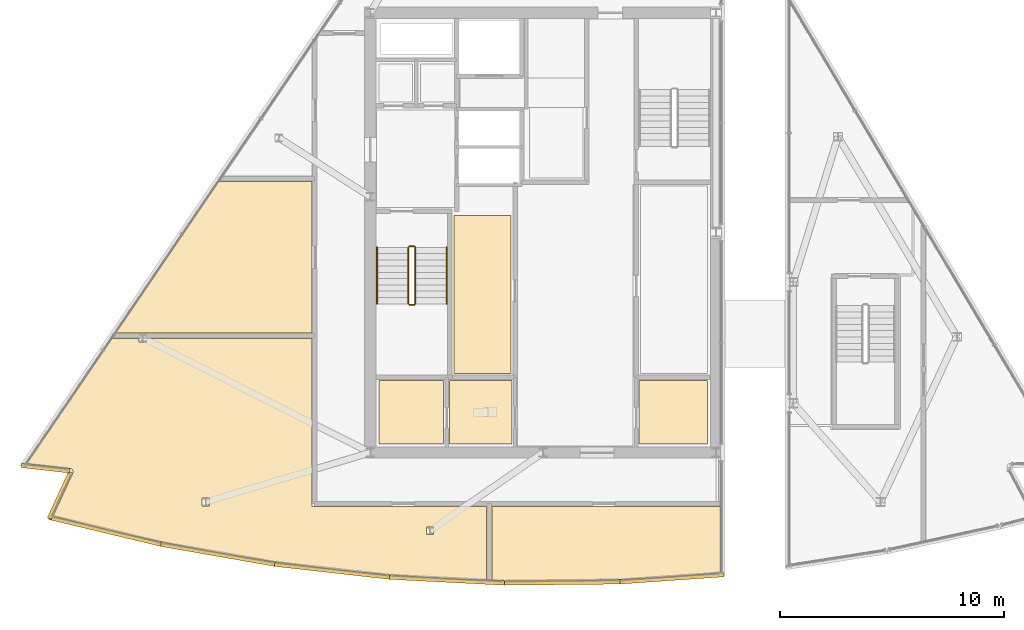
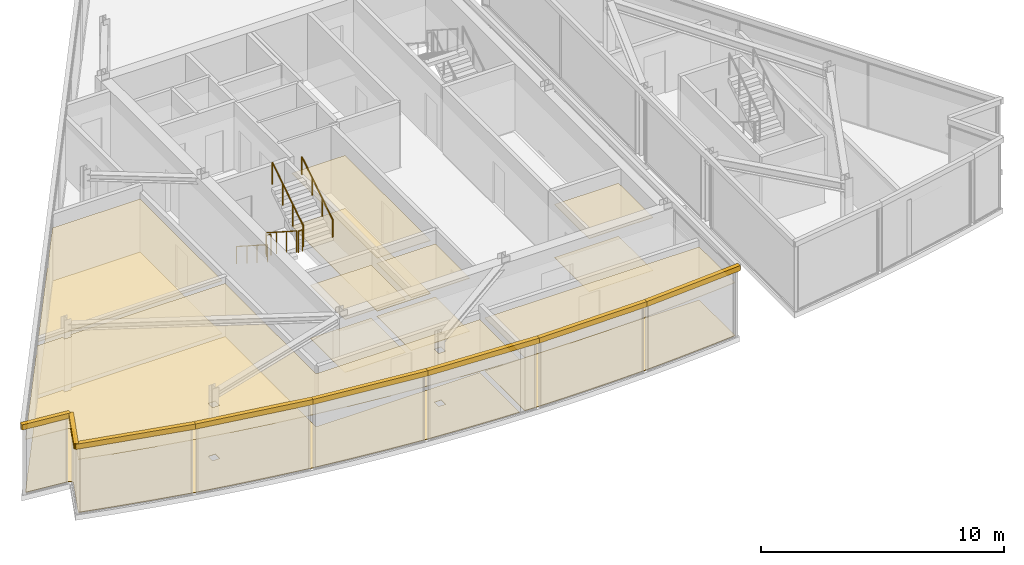
# One storey, part 11 of 15: 22 coverings, 6 railings.
"""IFC4 building model written with IfcOpenShell, lengths in metres."""

from ifc_helpers import new_model, si_unit, direction, frame, origin, origin_2d, place, context, subcontext, project, spatial, polyline, circle, outline, extrude, material, layer, layer_set, type_object, element, save


model = new_model("IFC4")

# Units and contexts
model_context = context("Model", 3, precision=1e-05, world=origin(), true_north=direction((0.0, 1.0)))
body_context = subcontext(model_context, "Body", "Model", "MODEL_VIEW")
ifc_project = project(units=[si_unit("LENGTHUNIT", "METRE"), si_unit("AREAUNIT", "SQUARE_METRE"), si_unit("VOLUMEUNIT", "CUBIC_METRE"), si_unit("PLANEANGLEUNIT", "RADIAN"), si_unit("MASSUNIT", "GRAM", prefix="KILO")], contexts=[model_context])

# Site, building, storey
site_placement = place(None, origin())
site = spatial("IfcSite", under=ifc_project, at=site_placement, CompositionType="ELEMENT")
building_placement = place(site_placement, origin())
building = spatial("IfcBuilding", under=site, at=building_placement, Name="Savorim Split Tower", CompositionType="ELEMENT")
storey_placement = place(building_placement, frame((0.0, 0.0, 301.199951171875)))
storey = spatial("IfcBuildingStorey", under=building, at=storey_placement, Name="Crown L80 Plant", CompositionType="ELEMENT", Elevation=301.199951171875)

# Coverings
ifc_material_1 = material(Name="Mineral Fibre Acoustic Ceiling")
ifc_layer_1 = layer(ifc_material_1, 0.02490234375)
ifc_layer_set_1 = layer_set([ifc_layer_1], Name="COV-CEIL-25")
covering_type_1 = type_object("IfcCoveringType", Name="COV-CEIL-25", PredefinedType="CEILING", material=ifc_layer_set_1)
covering_1_placement = place(storey_placement, frame((0.0, 0.0, 2.66015625)))
element("IfcCovering", 1, at=covering_1_placement, inside=storey, type_object=covering_type_1, Name="Crown L80 Plant Core Mechanical Store West Acoustic Ceiling", PredefinedType="CEILING", context=body_context, shape_type="SweptSolid", body=[
    extrude(outline(polyline([(-3.969970703125, 1.169921875), (-3.969970703125, -5.8701171875), (-1.429931640625, -5.8701171875), (-1.429931640625, 1.169921875), (-3.969970703125, 1.169921875)])), origin(), (0.0, 0.0, 1.0), 0.02490234375),
])
covering_2_placement = place(storey_placement, frame((0.0, 0.0, 2.66015625)))
element("IfcCovering", 2, at=covering_2_placement, inside=storey, type_object=covering_type_1, Name="Crown L80 Plant Housekeeping Store Acoustic Ceiling", PredefinedType="CEILING", context=body_context, shape_type="SweptSolid", body=[
    extrude(outline(polyline([(-7.320068359375, -6.179931640625), (-7.320068359375, -9.02001953125), (-4.429931640625, -9.02001953125), (-4.429931640625, -6.179931640625), (-7.320068359375, -6.179931640625)])), origin(), (0.0, 0.0, 1.0), 0.02490234375),
])
covering_3_placement = place(storey_placement, frame((0.0, 0.0, 2.66015625)))
element("IfcCovering", 3, at=covering_3_placement, inside=storey, type_object=covering_type_1, Name="Crown L80 Plant Accessible WC Acoustic Ceiling", PredefinedType="CEILING", context=body_context, shape_type="SweptSolid", body=[
    extrude(outline(polyline([(-4.169921875, -6.179931640625), (-4.169921875, -9.02001953125), (-1.3798828125, -9.02001953125), (-1.3798828125, -6.179931640625), (-4.169921875, -6.179931640625)])), origin(), (0.0, 0.0, 1.0), 0.02490234375),
])
covering_4_placement = place(storey_placement, frame((0.0, 0.0, 2.66015625)))
element("IfcCovering", 4, at=covering_4_placement, inside=storey, type_object=covering_type_1, Name="Crown L80 Plant Core IT Server Room Acoustic Ceiling", PredefinedType="CEILING", context=body_context, shape_type="SweptSolid", body=[
    extrude(outline(polyline([(4.280029296875, -6.179931640625), (4.280029296875, -9.02001953125), (7.320068359375, -9.02001953125), (7.320068359375, -6.179931640625), (4.280029296875, -6.179931640625)])), origin(), (0.0, 0.0, 1.0), 0.02490234375),
])
covering_5_placement = place(storey_placement, frame((0.0, 0.0, 2.66015625)))
element("IfcCovering", 5, at=covering_5_placement, inside=storey, type_object=covering_type_1, Name="Crown L80 Plant AHU Mechanical Plant Room Acoustic Ceiling", PredefinedType="CEILING", context=body_context, shape_type="SweptSolid", body=[
    extrude(outline(polyline([(-10.300048828125, 2.679931640625), (-14.42431640625, 2.679931640625), (-14.45751953125, 2.679931640625), (-19.05615234375, -4.080078125), (-10.300048828125, -4.080078125), (-10.300048828125, 2.679931640625)])), origin(), (0.0, 0.0, 1.0), 0.02490234375),
])
covering_6_placement = place(storey_placement, frame((0.0, 0.0, 2.66015625)))
element("IfcCovering", 6, at=covering_6_placement, inside=storey, type_object=covering_type_1, Name="Crown L80 Plant Chiller Plant Room Acoustic Ceiling", PredefinedType="CEILING", context=body_context, shape_type="SweptSolid", body=[
    extrude(outline(polyline([(-6.842529296875, -14.85009765625), (-5.134521484375, -14.972900390625), (-3.42431640625, -15.060302734375), (-2.52001953125, -15.087890625), (-2.52001953125, -11.800048828125), (-10.06005859375, -11.800048828125), (-10.179931640625, -11.800048828125), (-10.300048828125, -11.800048828125), (-10.300048828125, -11.56005859375), (-10.300048828125, -4.320068359375), (-17.67529296875, -4.320068359375), (-17.67529296875, -4.463623046875), (-18.00537109375, -4.463623046875), (-18.00537109375, -4.320068359375), (-19.18603515625, -4.320068359375), (-19.219482421875, -4.320068359375), (-23.014404296875, -9.8984375), (-21.072998046875, -10.115234375), (-21.059326171875, -10.117431640625), (-21.0458984375, -10.12109375), (-21.03271484375, -10.1259765625), (-21.0205078125, -10.132080078125), (-21.008544921875, -10.139404296875), (-20.99755859375, -10.14794921875), (-20.9873046875, -10.157470703125), (-20.978271484375, -10.168212890625), (-20.97021484375, -10.179443359375), (-20.96337890625, -10.191650390625), (-20.957763671875, -10.204345703125), (-20.95361328125, -10.217529296875), (-20.950439453125, -10.231201171875), (-20.948974609375, -10.2451171875), (-20.94873046875, -10.2587890625), (-20.94970703125, -10.272705078125), (-20.952392578125, -10.286376953125), (-20.956298828125, -10.2998046875), (-20.96142578125, -10.312744140625), (-21.841552734375, -12.228515625), (-20.3447265625, -12.619873046875), (-18.679443359375, -13.01904296875), (-17.00634765625, -13.38427734375), (-15.326171875, -13.715087890625), (-13.639404296875, -14.011474609375), (-11.947021484375, -14.273193359375), (-10.24951171875, -14.500244140625), (-8.5478515625, -14.692626953125), (-6.842529296875, -14.85009765625)]), holes=[polyline([(-14.872314453125, -11.776611328125), (-14.872314453125, -11.426513671875), (-15.2021484375, -11.426513671875), (-15.2021484375, -11.776611328125), (-14.872314453125, -11.776611328125)]), polyline([(-4.874755859375, -13.06005859375), (-4.874755859375, -12.710205078125), (-5.20458984375, -12.710205078125), (-5.20458984375, -13.06005859375), (-4.874755859375, -13.06005859375)])]), origin(), (0.0, 0.0, 1.0), 0.02490234375),
])
covering_7_placement = place(storey_placement, frame((0.0, 0.0, 2.66015625)))
element("IfcCovering", 7, at=covering_7_placement, inside=storey, type_object=covering_type_1, Name="Crown L80 Plant Booster Pump Plant Room Acoustic Ceiling", PredefinedType="CEILING", context=body_context, shape_type="SweptSolid", body=[
    extrude(outline(polyline([(3.42431640625, -15.060302734375), (5.134521484375, -14.972900390625), (6.842529296875, -14.85009765625), (7.909912109375, -14.751708984375), (7.909912109375, -11.800048828125), (-2.280029296875, -11.800048828125), (-2.280029296875, -15.095458984375), (-1.71240234375, -15.11279296875), (0.0, -15.13037109375), (1.71240234375, -15.11279296875), (3.42431640625, -15.060302734375)])), origin(), (0.0, 0.0, 1.0), 0.02490234375),
])
ifc_material_2 = material(Name="Terracotta Ceramic-Coated Aluminium Fin", Category="masonry")
ifc_layer_2 = layer(ifc_material_2, 0.050048828125)
ifc_layer_set_2 = layer_set([ifc_layer_2], Name="COV-CLAD-TERRA")
covering_type_2 = type_object("IfcCoveringType", Name="COV-CLAD-TERRA", PredefinedType="CLADDING", material=ifc_layer_set_2)
covering_8_placement = place(storey_placement, frame((0.0, 0.0, 3.340087890625)))
element("IfcCovering", 8, at=covering_8_placement, inside=storey, type_object=covering_type_2, Name="Crown L80 Plant Sloped Crest Eave Spandrel W6", PredefinedType="CLADDING", context=body_context, shape_type="SweptSolid", body=[
    extrude(outline(polyline([(-23.267333984375, -10.0712890625), (-21.09521484375, -10.31396484375), (-21.072998046875, -10.115234375), (-23.2451171875, -9.872802734375), (-23.267333984375, -10.0712890625)])), origin(), (0.0, 0.0, 1.0), 0.260009765625),
])
covering_9_placement = place(storey_placement, frame((0.0, 0.0, 3.340087890625)))
element("IfcCovering", 9, at=covering_9_placement, inside=storey, type_object=covering_type_2, Name="Crown L80 Plant Sloped Crest Eave Spandrel W7", PredefinedType="CLADDING", context=body_context, shape_type="SweptSolid", body=[
    extrude(outline(polyline([(-21.14306640625, -10.229248046875), (-22.093017578125, -12.296630859375), (-21.9111328125, -12.3798828125), (-20.96142578125, -10.312744140625), (-21.14306640625, -10.229248046875)])), origin(), (0.0, 0.0, 1.0), 0.260009765625),
])
covering_10_placement = place(storey_placement, frame((0.0, 0.0, 3.340087890625)))
element("IfcCovering", 10, at=covering_10_placement, inside=storey, type_object=covering_type_2, Name="Crown L80 Plant Sloped Crest Eave Spandrel W8", PredefinedType="CLADDING", context=body_context, shape_type="SweptSolid", body=[
    extrude(outline(polyline([(-22.052490234375, -12.3798828125), (-17.048828125, -13.57958984375), (-17.002197265625, -13.38525390625), (-22.005859375, -12.185546875), (-22.052490234375, -12.3798828125)])), origin(), (0.0, 0.0, 1.0), 0.260009765625),
])
covering_11_placement = place(storey_placement, frame((0.0, 0.0, 3.340087890625)))
element("IfcCovering", 11, at=covering_11_placement, inside=storey, type_object=covering_type_2, Name="Crown L80 Plant Sloped Crest Eave Spandrel W9", PredefinedType="CLADDING", context=body_context, shape_type="SweptSolid", body=[
    extrude(outline(polyline([(-17.045166015625, -13.580322265625), (-11.977294921875, -14.470947265625), (-11.942626953125, -14.27392578125), (-17.010498046875, -13.38330078125), (-17.045166015625, -13.580322265625)])), origin(), (0.0, 0.0, 1.0), 0.260009765625),
])
covering_12_placement = place(storey_placement, frame((0.0, 0.0, 3.340087890625)))
element("IfcCovering", 12, at=covering_12_placement, inside=storey, type_object=covering_type_2, Name="Crown L80 Plant Sloped Crest Eave Spandrel W10", PredefinedType="CLADDING", context=body_context, shape_type="SweptSolid", body=[
    extrude(outline(polyline([(-11.9736328125, -14.471435546875), (-6.860595703125, -15.04931640625), (-6.83837890625, -14.8505859375), (-11.951171875, -14.272705078125), (-11.9736328125, -14.471435546875)])), origin(), (0.0, 0.0, 1.0), 0.260009765625),
])
covering_13_placement = place(storey_placement, frame((0.0, 0.0, 3.340087890625)))
element("IfcCovering", 13, at=covering_13_placement, inside=storey, type_object=covering_type_2, Name="Crown L80 Plant Sloped Crest Eave Spandrel W11", PredefinedType="CLADDING", context=body_context, shape_type="SweptSolid", body=[
    extrude(outline(polyline([(-6.857177734375, -15.049560546875), (-1.718505859375, -15.312744140625), (-1.7080078125, -15.113037109375), (-6.8466796875, -14.849853515625), (-6.857177734375, -15.049560546875)])), origin(), (0.0, 0.0, 1.0), 0.260009765625),
])
covering_14_placement = place(storey_placement, frame((0.0, 0.0, 3.340087890625)))
element("IfcCovering", 14, at=covering_14_placement, inside=storey, type_object=covering_type_2, Name="Crown L80 Plant Sloped Crest Eave Spandrel W12", PredefinedType="CLADDING", context=body_context, shape_type="SweptSolid", body=[
    extrude(outline(polyline([(-1.714599609375, -15.312744140625), (3.430419921875, -15.26025390625), (3.428466796875, -15.060302734375), (-1.716796875, -15.11279296875), (-1.714599609375, -15.312744140625)])), origin(), (0.0, 0.0, 1.0), 0.260009765625),
])
covering_15_placement = place(storey_placement, frame((0.0, 0.0, 3.340087890625)))
element("IfcCovering", 15, at=covering_15_placement, inside=storey, type_object=covering_type_2, Name="Crown L80 Plant Sloped Crest Eave Spandrel W13", PredefinedType="CLADDING", context=body_context, shape_type="SweptSolid", body=[
    extrude(outline(polyline([(3.43408203125, -15.260009765625), (8.05419921875, -14.939208984375), (8.040283203125, -14.739501953125), (3.420166015625, -15.060546875), (3.43408203125, -15.260009765625)])), origin(), (0.0, 0.0, 1.0), 0.260009765625),
])
ifc_material_3 = material(Name="Porcelain Stoneware Flooring", Category="masonry")
ifc_layer_3 = layer(ifc_material_3, 0.02001953125)
ifc_layer_set_3 = layer_set([ifc_layer_3], Name="COV-FLOR-20")
covering_type_3 = type_object("IfcCoveringType", Name="COV-FLOR-20", PredefinedType="FLOORING", material=ifc_layer_set_3)
covering_16_placement = place(storey_placement, origin())
element("IfcCovering", 16, at=covering_16_placement, inside=storey, type_object=covering_type_3, Name="Crown L80 Plant Core Mechanical Store West Porcelain Flooring", PredefinedType="FLOORING", context=body_context, shape_type="SweptSolid", body=[
    extrude(outline(polyline([(-3.969970703125, 1.169921875), (-3.969970703125, -5.8701171875), (-1.429931640625, -5.8701171875), (-1.429931640625, 1.169921875), (-3.969970703125, 1.169921875)])), origin(), (0.0, 0.0, 1.0), 0.02001953125),
])
covering_17_placement = place(storey_placement, origin())
element("IfcCovering", 17, at=covering_17_placement, inside=storey, type_object=covering_type_3, Name="Crown L80 Plant Housekeeping Store Porcelain Flooring", PredefinedType="FLOORING", context=body_context, shape_type="SweptSolid", body=[
    extrude(outline(polyline([(-7.320068359375, -6.179931640625), (-7.320068359375, -9.02001953125), (-4.429931640625, -9.02001953125), (-4.429931640625, -6.179931640625), (-7.320068359375, -6.179931640625)])), origin(), (0.0, 0.0, 1.0), 0.02001953125),
])
covering_18_placement = place(storey_placement, origin())
element("IfcCovering", 18, at=covering_18_placement, inside=storey, type_object=covering_type_3, Name="Crown L80 Plant Accessible WC Porcelain Flooring", PredefinedType="FLOORING", context=body_context, shape_type="SweptSolid", body=[
    extrude(outline(polyline([(-4.169921875, -6.179931640625), (-4.169921875, -9.02001953125), (-1.3798828125, -9.02001953125), (-1.3798828125, -6.179931640625), (-4.169921875, -6.179931640625)])), origin(), (0.0, 0.0, 1.0), 0.02001953125),
])
covering_19_placement = place(storey_placement, origin())
element("IfcCovering", 19, at=covering_19_placement, inside=storey, type_object=covering_type_3, Name="Crown L80 Plant Core IT Server Room Porcelain Flooring", PredefinedType="FLOORING", context=body_context, shape_type="SweptSolid", body=[
    extrude(outline(polyline([(4.280029296875, -6.179931640625), (4.280029296875, -9.02001953125), (7.320068359375, -9.02001953125), (7.320068359375, -6.179931640625), (4.280029296875, -6.179931640625)])), origin(), (0.0, 0.0, 1.0), 0.02001953125),
])
covering_20_placement = place(storey_placement, origin())
element("IfcCovering", 20, at=covering_20_placement, inside=storey, type_object=covering_type_3, Name="Crown L80 Plant AHU Mechanical Plant Room Porcelain Flooring", PredefinedType="FLOORING", context=body_context, shape_type="SweptSolid", body=[
    extrude(outline(polyline([(-10.300048828125, 2.679931640625), (-14.42431640625, 2.679931640625), (-14.45751953125, 2.679931640625), (-19.05615234375, -4.080078125), (-10.300048828125, -4.080078125), (-10.300048828125, 2.679931640625)])), origin(), (0.0, 0.0, 1.0), 0.02001953125),
])
covering_21_placement = place(storey_placement, origin())
element("IfcCovering", 21, at=covering_21_placement, inside=storey, type_object=covering_type_3, Name="Crown L80 Plant Chiller Plant Room Porcelain Flooring", PredefinedType="FLOORING", context=body_context, shape_type="SweptSolid", body=[
    extrude(outline(polyline([(-6.842529296875, -14.85009765625), (-5.134521484375, -14.972900390625), (-3.42431640625, -15.060302734375), (-2.52001953125, -15.087890625), (-2.52001953125, -11.800048828125), (-10.06005859375, -11.800048828125), (-10.179931640625, -11.800048828125), (-10.300048828125, -11.800048828125), (-10.300048828125, -11.56005859375), (-10.300048828125, -4.320068359375), (-17.67529296875, -4.320068359375), (-17.67529296875, -4.463623046875), (-18.00537109375, -4.463623046875), (-18.00537109375, -4.320068359375), (-19.18603515625, -4.320068359375), (-19.219482421875, -4.320068359375), (-23.014404296875, -9.8984375), (-21.072998046875, -10.115234375), (-21.059326171875, -10.117431640625), (-21.0458984375, -10.12109375), (-21.03271484375, -10.1259765625), (-21.0205078125, -10.132080078125), (-21.008544921875, -10.139404296875), (-20.99755859375, -10.14794921875), (-20.9873046875, -10.157470703125), (-20.978271484375, -10.168212890625), (-20.97021484375, -10.179443359375), (-20.96337890625, -10.191650390625), (-20.957763671875, -10.204345703125), (-20.95361328125, -10.217529296875), (-20.950439453125, -10.231201171875), (-20.948974609375, -10.2451171875), (-20.94873046875, -10.2587890625), (-20.94970703125, -10.272705078125), (-20.952392578125, -10.286376953125), (-20.956298828125, -10.2998046875), (-20.96142578125, -10.312744140625), (-21.841552734375, -12.228515625), (-20.3447265625, -12.619873046875), (-18.679443359375, -13.01904296875), (-17.00634765625, -13.38427734375), (-15.326171875, -13.715087890625), (-13.639404296875, -14.011474609375), (-11.947021484375, -14.273193359375), (-10.24951171875, -14.500244140625), (-8.5478515625, -14.692626953125), (-6.842529296875, -14.85009765625)]), holes=[polyline([(-14.872314453125, -11.776611328125), (-14.872314453125, -11.426513671875), (-15.2021484375, -11.426513671875), (-15.2021484375, -11.776611328125), (-14.872314453125, -11.776611328125)]), polyline([(-4.874755859375, -13.06005859375), (-4.874755859375, -12.710205078125), (-5.20458984375, -12.710205078125), (-5.20458984375, -13.06005859375), (-4.874755859375, -13.06005859375)])]), origin(), (0.0, 0.0, 1.0), 0.02001953125),
])
covering_22_placement = place(storey_placement, origin())
element("IfcCovering", 22, at=covering_22_placement, inside=storey, type_object=covering_type_3, Name="Crown L80 Plant Booster Pump Plant Room Porcelain Flooring", PredefinedType="FLOORING", context=body_context, shape_type="SweptSolid", body=[
    extrude(outline(polyline([(3.42431640625, -15.060302734375), (5.134521484375, -14.972900390625), (6.842529296875, -14.85009765625), (7.909912109375, -14.751708984375), (7.909912109375, -11.800048828125), (-2.280029296875, -11.800048828125), (-2.280029296875, -15.095458984375), (-1.71240234375, -15.11279296875), (0.0, -15.13037109375), (1.71240234375, -15.11279296875), (3.42431640625, -15.060302734375)])), origin(), (0.0, 0.0, 1.0), 0.02001953125),
])

# Railings
ifc_material_4 = material(Name="Galvanised Painted Steel Balustrade", Category="steel")
railing_type_1 = type_object("IfcRailingType", Name="RLG-HR-900", PredefinedType="HANDRAIL", material=ifc_material_4)
railing_1_placement = place(storey_placement, frame((-7.39990234375, -0.25, 0.179931640625)))
element("IfcRailing", 23, at=railing_1_placement, inside=storey, type_object=railing_type_1, Name="Crown L80 Plant ST-1 stair handrail 1", PredefinedType="HANDRAIL", context=body_context, shape_type="SweptSolid", body=[
    extrude(circle(Radius=0.02392578125, at=origin_2d()), frame((0.0, 0.0, 0.8759765625), z_axis=(0.0, -0.841162588446, 0.540782303519), x_axis=(1.0, 0.0, 0.0)), (0.0, 0.0, 1.0), 2.995849609375),
    extrude(circle(Radius=0.02099609375, at=origin_2d()), origin(), (0.0, 0.0, 1.0), 0.851806640625),
    extrude(circle(Radius=0.02099609375, at=origin_2d()), frame((0.0, -0.840087890625, 0.5400390625)), (0.0, 0.0, 1.0), 0.851806640625),
    extrude(circle(Radius=0.02099609375, at=origin_2d()), frame((0.0, -1.679931640625, 1.080078125)), (0.0, 0.0, 1.0), 0.851806640625),
    extrude(circle(Radius=0.02099609375, at=origin_2d()), frame((0.0, -2.52001953125, 1.6201171875)), (0.0, 0.0, 1.0), 0.851806640625),
])
railing_2_placement = place(storey_placement, frame((-4.300048828125, -2.77001953125, 1.97998046875)))
element("IfcRailing", 24, at=railing_2_placement, inside=storey, type_object=railing_type_1, Name="Crown L80 Plant ST-1 stair handrail 2", PredefinedType="HANDRAIL", context=body_context, shape_type="SweptSolid", body=[
    extrude(circle(Radius=0.02392578125, at=origin_2d()), frame((0.0, 0.0, 0.8759765625), z_axis=(0.0, 0.841162588446, 0.540782303519), x_axis=(-1.0, 0.0, 0.0)), (0.0, 0.0, 1.0), 2.995849609375),
    extrude(circle(Radius=0.02099609375, at=origin_2d()), origin(), (0.0, 0.0, 1.0), 0.851806640625),
    extrude(circle(Radius=0.02099609375, at=origin_2d()), frame((0.0, 0.840087890625, 0.5400390625)), (0.0, 0.0, 1.0), 0.851806640625),
    extrude(circle(Radius=0.02099609375, at=origin_2d()), frame((0.0, 1.679931640625, 1.080078125)), (0.0, 0.0, 1.0), 0.851806640625),
    extrude(circle(Radius=0.02099609375, at=origin_2d()), frame((0.0, 2.52001953125, 1.6201171875)), (0.0, 0.0, 1.0), 0.851806640625),
])
railing_type_2 = type_object("IfcRailingType", Name="RLG-STG-1100", PredefinedType="BALUSTRADE", material=ifc_material_4)
railing_3_placement = place(storey_placement, frame((-6.0, -0.25, 0.179931640625)))
element("IfcRailing", 25, at=railing_3_placement, inside=storey, type_object=railing_type_2, Name="Crown L80 Plant ST-1 stair guard 1", PredefinedType="BALUSTRADE", context=body_context, shape_type="SweptSolid", body=[
    extrude(circle(Radius=0.02392578125, at=origin_2d()), frame((0.0, 0.0, 1.076171875), z_axis=(0.0, -0.841162588446, 0.540782303519), x_axis=(1.0, 0.0, 0.0)), (0.0, 0.0, 1.0), 2.995849609375),
    extrude(circle(Radius=0.02099609375, at=origin_2d()), origin(), (0.0, 0.0, 1.0), 1.052001953125),
    extrude(circle(Radius=0.02099609375, at=origin_2d()), frame((0.0, -0.840087890625, 0.5400390625)), (0.0, 0.0, 1.0), 1.052001953125),
    extrude(circle(Radius=0.02099609375, at=origin_2d()), frame((0.0, -1.679931640625, 1.080078125)), (0.0, 0.0, 1.0), 1.052001953125),
    extrude(circle(Radius=0.02099609375, at=origin_2d()), frame((0.0, -2.52001953125, 1.6201171875)), (0.0, 0.0, 1.0), 1.052001953125),
])
railing_4_placement = place(storey_placement, frame((-5.949951171875, -2.820068359375, 1.800048828125)))
element("IfcRailing", 26, at=railing_4_placement, inside=storey, type_object=railing_type_2, Name="Crown L80 Plant ST-1 stair guard 2", PredefinedType="BALUSTRADE", context=body_context, shape_type="SweptSolid", body=[
    extrude(circle(Radius=0.02392578125, at=origin_2d()), frame((0.0, 0.0, 1.076171875), z_axis=(1.0, 0.0, 0.0), x_axis=(0.0, 1.0, 0.0)), (0.0, 0.0, 1.0), 0.199951171875),
    extrude(circle(Radius=0.02099609375, at=origin_2d()), origin(), (0.0, 0.0, 1.0), 1.052001953125),
    extrude(circle(Radius=0.02099609375, at=origin_2d()), frame((0.199951171875, 0.0, 0.0)), (0.0, 0.0, 1.0), 1.052001953125),
])
railing_5_placement = place(storey_placement, frame((-5.699951171875, -2.77001953125, 1.97998046875)))
element("IfcRailing", 27, at=railing_5_placement, inside=storey, type_object=railing_type_2, Name="Crown L80 Plant ST-1 stair guard 3", PredefinedType="BALUSTRADE", context=body_context, shape_type="SweptSolid", body=[
    extrude(circle(Radius=0.02392578125, at=origin_2d()), frame((0.0, 0.0, 1.076171875), z_axis=(0.0, 0.841162588446, 0.540782303519), x_axis=(-1.0, 0.0, 0.0)), (0.0, 0.0, 1.0), 2.995849609375),
    extrude(circle(Radius=0.02099609375, at=origin_2d()), origin(), (0.0, 0.0, 1.0), 1.052001953125),
    extrude(circle(Radius=0.02099609375, at=origin_2d()), frame((0.0, 0.840087890625, 0.5400390625)), (0.0, 0.0, 1.0), 1.052001953125),
    extrude(circle(Radius=0.02099609375, at=origin_2d()), frame((0.0, 1.679931640625, 1.080078125)), (0.0, 0.0, 1.0), 1.052001953125),
    extrude(circle(Radius=0.02099609375, at=origin_2d()), frame((0.0, 2.52001953125, 1.6201171875)), (0.0, 0.0, 1.0), 1.052001953125),
])
railing_6_placement = place(storey_placement, frame((-5.949951171875, -0.199951171875, 0.0)))
element("IfcRailing", 28, at=railing_6_placement, inside=storey, type_object=railing_type_2, Name="Crown L80 Plant ST-1 stair guard 4", PredefinedType="BALUSTRADE", context=body_context, shape_type="SweptSolid", body=[
    extrude(circle(Radius=0.02392578125, at=origin_2d()), frame((0.0, 0.0, 1.076171875), z_axis=(1.0, 0.0, 0.0), x_axis=(0.0, 1.0, 0.0)), (0.0, 0.0, 1.0), 0.199951171875),
    extrude(circle(Radius=0.02099609375, at=origin_2d()), origin(), (0.0, 0.0, 1.0), 1.052001953125),
    extrude(circle(Radius=0.02099609375, at=origin_2d()), frame((0.199951171875, 0.0, 0.0)), (0.0, 0.0, 1.0), 1.052001953125),
])

save(model, "model.ifc")
